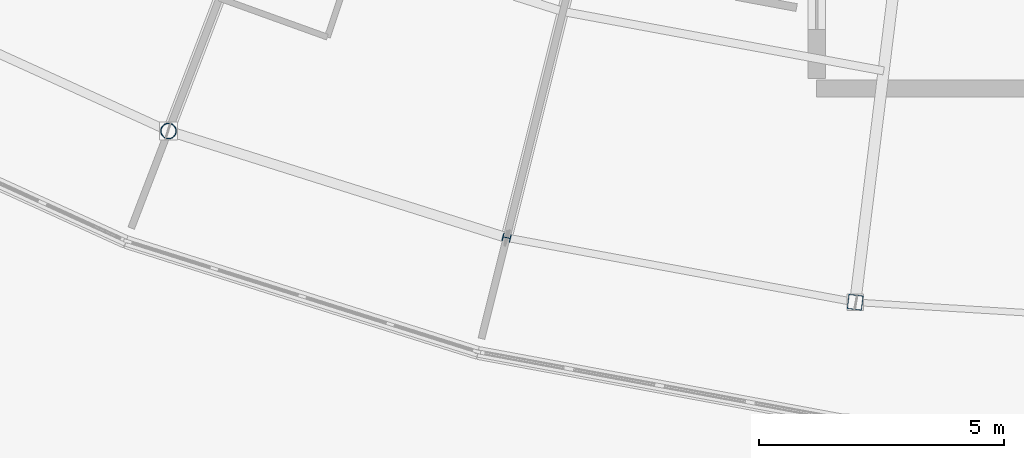
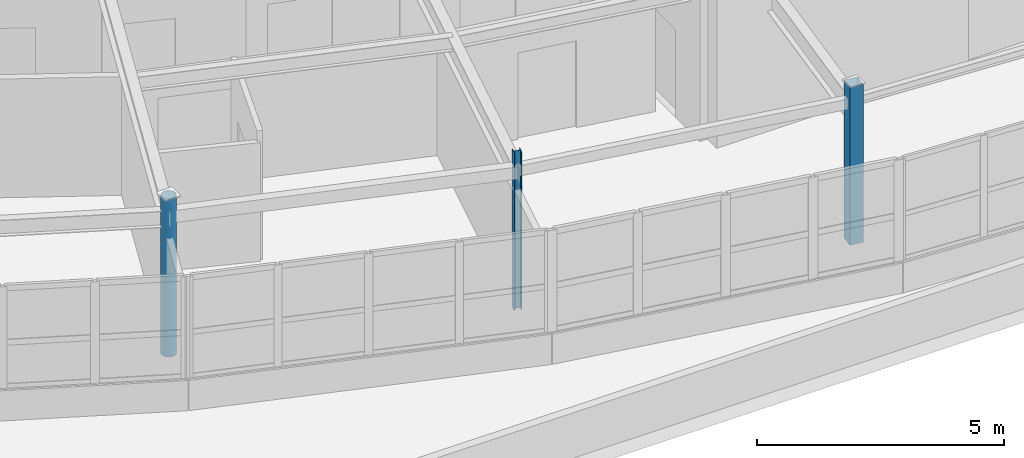
# One storey, part 2 of 128: 3 columns.
"""IFC4 building model written with IfcOpenShell, lengths in metres."""

from ifc_helpers import new_model, si_unit, direction, frame, origin, origin_2d, place, context, subcontext, project, spatial, hollow_rectangle, hollow_circle, i_section, extrude, material, material_profile, profile_set, type_object, element, save


model = new_model("IFC4")

# Units and contexts
model_context = context("Model", 3, precision=1e-05, world=origin(), true_north=direction((0.0, 1.0)))
body_context = subcontext(model_context, "Body", "Model", "MODEL_VIEW")
ifc_project = project(units=[si_unit("LENGTHUNIT", "METRE"), si_unit("AREAUNIT", "SQUARE_METRE"), si_unit("VOLUMEUNIT", "CUBIC_METRE"), si_unit("PLANEANGLEUNIT", "RADIAN"), si_unit("MASSUNIT", "GRAM", prefix="KILO")], contexts=[model_context])

# Site, building, storey
site_placement = place(None, origin())
site = spatial("IfcSite", under=ifc_project, at=site_placement, CompositionType="ELEMENT")
building_placement = place(site_placement, origin())
building = spatial("IfcBuilding", under=site, at=building_placement, Name="Tarnwether General Hospital", CompositionType="ELEMENT")
storey_placement = place(building_placement, frame((0.0, 0.0, 14.39990234375)))
storey = spatial("IfcBuildingStorey", under=building, at=storey_placement, Name="L03", CompositionType="ELEMENT", Elevation=14.39990234375)

# Columns
ifc_material_1 = material(Name="Steel Grade C350L0 (350 MPa)", Category="steel")
ifc_material_profile_1 = material_profile(ifc_material_1, hollow_circle(Radius=0.161865234375, WallThickness=0.0126953125, at=origin_2d()), Name="CHS323.9x12.7")
ifc_profile_set_1 = profile_set([ifc_material_profile_1], Name="Steel Grade C350L0 (350 MPa)")
column_type_1 = type_object("IfcColumnType", Name="COL-26", PredefinedType="COLUMN", material=ifc_profile_set_1)
column_1_placement = place(storey_placement, frame((70.784912109375, 7.73193359375, 0.0), z_axis=(0.0, 0.0, 1.0), x_axis=(0.358367949545, 0.933580426497, 0.0)))
element("IfcColumn", 1, at=column_1_placement, inside=storey, type_object=column_type_1, Name="Column COLG-L03-7078_773", PredefinedType="COLUMN", context=body_context, shape_type="SweptSolid", body=[
    extrude(hollow_circle(Radius=0.161865234375, WallThickness=0.0126953125, at=origin_2d()), origin(), (0.0, 0.0, 1.0), 3.900146484375),
])
ifc_material_2 = material(Name="Steel Grade 350 (350 MPa)", Category="steel")
ifc_material_profile_2 = material_profile(ifc_material_2, i_section(OverallWidth=0.154052734375, OverallDepth=0.162109375, WebThickness=0.008056640625, FlangeThickness=0.011474609375, at=origin_2d()), Name="150UC37.2")
ifc_profile_set_2 = profile_set([ifc_material_profile_2], Name="Steel Grade 350 (350 MPa)")
column_type_2 = type_object("IfcColumnType", Name="COL-28", PredefinedType="COLUMN", material=ifc_profile_set_2)
column_2_placement = place(storey_placement, frame((77.677978515625, 5.55810546875, 0.0), z_axis=(0.0, 0.0, 1.0), x_axis=(0.2419218956, 0.970295726276, 0.0)))
element("IfcColumn", 2, at=column_2_placement, inside=storey, type_object=column_type_2, Name="Column COLG-L03-7768_556", PredefinedType="COLUMN", context=body_context, shape_type="SweptSolid", body=[
    extrude(i_section(OverallWidth=0.154052734375, OverallDepth=0.162109375, WebThickness=0.008056640625, FlangeThickness=0.011474609375, at=origin_2d()), origin(), (0.0, 0.0, 1.0), 3.900146484375),
])
ifc_material_3 = material(Name="Steel Grade C350L0 (350 MPa)", Category="steel")
ifc_material_profile_3 = material_profile(ifc_material_3, hollow_rectangle(XDim=0.300048828125, YDim=0.300048828125, WallThickness=0.012451171875, at=origin_2d()), Name="SHS300x300x12.5")
ifc_profile_set_3 = profile_set([ifc_material_profile_3], Name="Steel Grade C350L0 (350 MPa)")
column_type_3 = type_object("IfcColumnType", Name="COL-30", PredefinedType="COLUMN", material=ifc_profile_set_3)
column_3_placement = place(storey_placement, frame((84.784912109375, 4.240966796875, 0.0), z_axis=(0.0, 0.0, 1.0), x_axis=(0.121869343405, 0.992546151641, 0.0)))
element("IfcColumn", 3, at=column_3_placement, inside=storey, type_object=column_type_3, Name="Column COLG-L03-8478_424", PredefinedType="COLUMN", context=body_context, shape_type="SweptSolid", body=[
    extrude(hollow_rectangle(XDim=0.300048828125, YDim=0.300048828125, WallThickness=0.012451171875, at=origin_2d()), origin(), (0.0, 0.0, 1.0), 3.900146484375),
])

save(model, "model.ifc")
